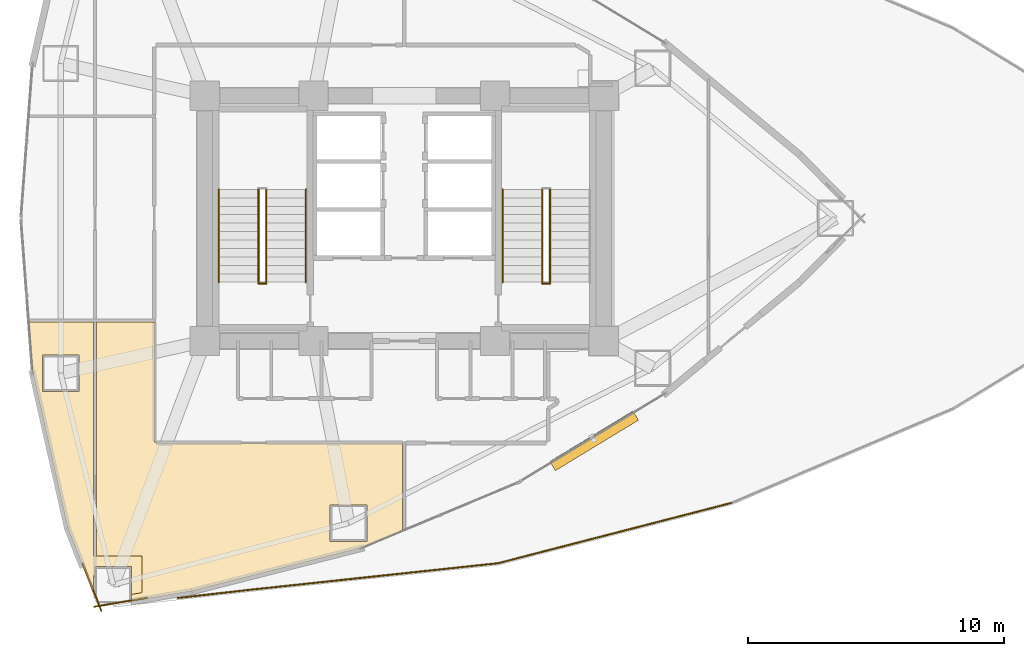
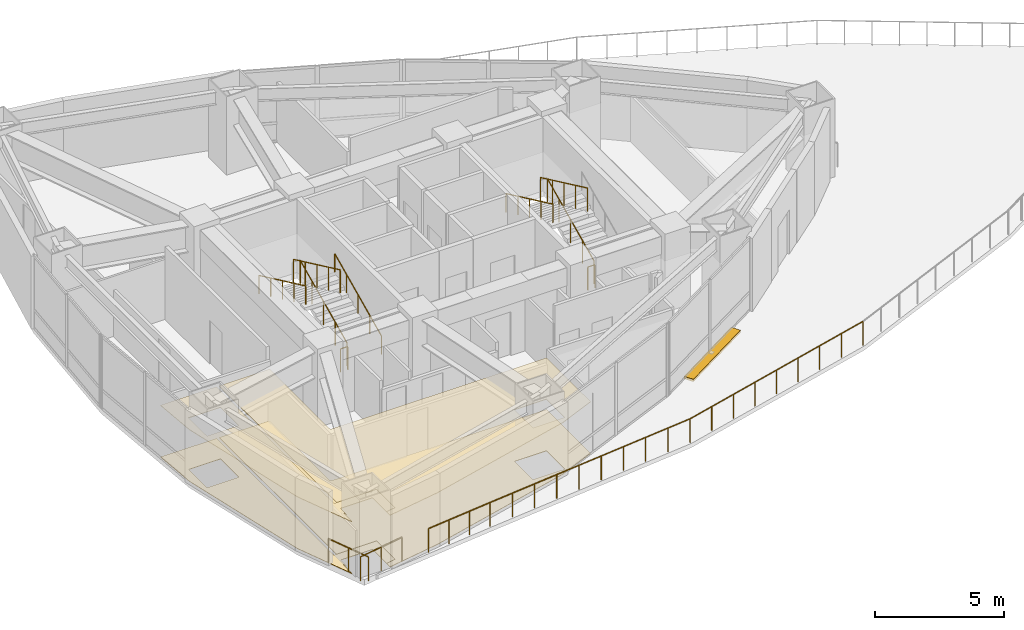
# One storey, part 17 of 19: 14 railings, 4 coverings, 1 shading device.
"""IFC4 building model written with IfcOpenShell, lengths in metres."""

from ifc_helpers import new_model, si_unit, direction, frame, origin, origin_2d, place, context, subcontext, project, spatial, polyline, rectangle, circle, outline, extrude, material, layer, layer_set, type_object, element, save


model = new_model("IFC4")

# Units and contexts
model_context = context("Model", 3, precision=1e-05, world=origin(), true_north=direction((0.0, 1.0)))
body_context = subcontext(model_context, "Body", "Model", "MODEL_VIEW")
ifc_project = project(units=[si_unit("LENGTHUNIT", "METRE"), si_unit("AREAUNIT", "SQUARE_METRE"), si_unit("VOLUMEUNIT", "CUBIC_METRE"), si_unit("PLANEANGLEUNIT", "RADIAN"), si_unit("MASSUNIT", "GRAM", prefix="KILO")], contexts=[model_context])

# Site, building, storey
site_placement = place(None, origin())
site = spatial("IfcSite", under=ifc_project, at=site_placement, CompositionType="ELEMENT")
building_placement = place(site_placement, origin())
building = spatial("IfcBuilding", under=site, at=building_placement, Name="Menara Vayukalpa", CompositionType="ELEMENT")
storey_placement = place(building_placement, frame((0.0, 0.0, 68.52001953125)))
storey = spatial("IfcBuildingStorey", under=building, at=storey_placement, Name="L16", CompositionType="ELEMENT", Elevation=68.52001953125)

# Coverings
ifc_material_1 = material(Name="Mineral Fibre Acoustic Ceiling Tile", Category="masonry")
ifc_layer_1 = layer(ifc_material_1, 0.02490234375)
ifc_layer_set_1 = layer_set([ifc_layer_1], Name="Mineral Fibre Acoustic Ceiling Tile")
covering_type_1 = type_object("IfcCoveringType", Name="COV-CLG1", PredefinedType="CEILING", material=ifc_layer_set_1)
covering_1_placement = place(storey_placement, frame((0.0, 0.0, 2.449951171875)))
element("IfcCovering", 1, at=covering_1_placement, inside=storey, type_object=covering_type_1, Name="L16 Technical Reference Library Acoustic Ceiling", PredefinedType="CEILING", context=body_context, shape_type="SweptSolid", body=[
    extrude(outline(polyline([(14.9326171875, 7.2900390625), (14.9326171875, 8.380615234375), (13.502685546875, 8.380615234375), (13.502685546875, 7.90966796875), (13.43994140625, 8.069091796875), (13.43994140625, 7.38330078125), (13.43994140625, 7.382080078125), (13.439697265625, 7.381103515625), (13.439697265625, 7.38037109375), (13.439208984375, 7.37939453125), (13.438720703125, 7.37841796875), (13.438232421875, 7.377685546875), (13.437744140625, 7.376708984375), (13.43701171875, 7.376220703125), (13.436279296875, 7.37548828125), (13.435546875, 7.374755859375), (13.4345703125, 7.374267578125), (13.433837890625, 7.373779296875), (13.432861328125, 7.37353515625), (13.431884765625, 7.373291015625), (13.430908203125, 7.373291015625), (13.429931640625, 7.373291015625), (13.428955078125, 7.373291015625), (13.427978515625, 7.373291015625), (13.427001953125, 7.373779296875), (13.426025390625, 7.3740234375), (13.42529296875, 7.37451171875), (13.42431640625, 7.375), (13.423583984375, 7.37548828125), (13.4228515625, 7.376220703125), (13.422119140625, 7.376953125), (13.421630859375, 7.377685546875), (13.421142578125, 7.378662109375), (13.420654296875, 7.37939453125), (12.4375, 9.883056640625), (12.437255859375, 9.8837890625), (12.43701171875, 9.884521484375), (11.07421875, 15.941162109375), (11.073974609375, 15.942626953125), (10.925048828125, 17.92919921875), (10.925048828125, 17.93017578125), (10.925048828125, 17.93115234375), (10.92529296875, 17.93212890625), (10.925537109375, 17.93310546875), (10.92578125, 17.93408203125), (10.92626953125, 17.934814453125), (10.9267578125, 17.935791015625), (10.92724609375, 17.936279296875), (10.927978515625, 17.93701171875), (10.9287109375, 17.937744140625), (10.929443359375, 17.9384765625), (10.930419921875, 17.93896484375), (10.93115234375, 17.939208984375), (10.93212890625, 17.939697265625), (10.93310546875, 17.939697265625), (10.93408203125, 17.93994140625), (10.93505859375, 17.93994140625), (13.429931640625, 17.93994140625), (13.430908203125, 17.93994140625), (13.431884765625, 17.939697265625), (13.432861328125, 17.939697265625), (13.433837890625, 17.939208984375), (13.434814453125, 17.938720703125), (13.435546875, 17.938232421875), (13.436279296875, 17.937744140625), (13.43701171875, 17.93701171875), (13.437744140625, 17.936279296875), (13.438232421875, 17.935546875), (13.438720703125, 17.934814453125), (13.439208984375, 17.933837890625), (13.439697265625, 17.932861328125), (13.439697265625, 17.931884765625), (13.43994140625, 17.930908203125), (13.43994140625, 17.929931640625), (13.43994140625, 8.800537109375), (15.3525390625, 8.800537109375), (15.3525390625, 7.361328125), (14.9326171875, 7.2900390625)]), holes=[polyline([(12.879150390625, 16.655517578125), (11.44921875, 16.655517578125), (11.44921875, 15.225341796875), (12.879150390625, 15.225341796875), (12.879150390625, 16.655517578125)])]), origin(), (0.0, 0.0, 1.0), 0.025146484375),
])
covering_2_placement = place(storey_placement, frame((0.0, 0.0, 2.449951171875)))
element("IfcCovering", 2, at=covering_2_placement, inside=storey, type_object=covering_type_1, Name="L16 Technical Reference Library Acoustic Ceiling", PredefinedType="CEILING", context=body_context, shape_type="SweptSolid", body=[
    extrude(outline(polyline([(13.56005859375, 8.800537109375), (13.56005859375, 17.929931640625), (13.56005859375, 17.930908203125), (13.560302734375, 17.931884765625), (13.560302734375, 17.932861328125), (13.560791015625, 17.933837890625), (13.561279296875, 17.934814453125), (13.561767578125, 17.935546875), (13.562255859375, 17.936279296875), (13.56298828125, 17.93701171875), (13.563720703125, 17.937744140625), (13.564453125, 17.938232421875), (13.565185546875, 17.938720703125), (13.566162109375, 17.939208984375), (13.567138671875, 17.939697265625), (13.568115234375, 17.939697265625), (13.569091796875, 17.93994140625), (13.570068359375, 17.93994140625), (15.820068359375, 17.93994140625), (15.821044921875, 17.93994140625), (15.822021484375, 17.939697265625), (15.822998046875, 17.939697265625), (15.82373046875, 17.939208984375), (15.82470703125, 17.938720703125), (15.82568359375, 17.938232421875), (15.826416015625, 17.937744140625), (15.8271484375, 17.93701171875), (15.82763671875, 17.936279296875), (15.828369140625, 17.935546875), (15.828857421875, 17.934814453125), (15.8291015625, 17.933837890625), (15.82958984375, 17.932861328125), (15.829833984375, 17.931884765625), (15.830078125, 17.930908203125), (15.830078125, 17.929931640625), (15.830078125, 13.290283203125), (15.830322265625, 13.283203125), (15.831298828125, 13.2763671875), (15.8330078125, 13.269775390625), (15.835205078125, 13.26318359375), (15.838134765625, 13.257080078125), (15.841796875, 13.251220703125), (15.845947265625, 13.24560546875), (15.8505859375, 13.240478515625), (15.85546875, 13.236083984375), (15.861083984375, 13.231689453125), (15.866943359375, 13.228271484375), (15.873291015625, 13.225341796875), (15.879638671875, 13.222900390625), (15.88623046875, 13.22119140625), (15.893310546875, 13.220458984375), (15.900390625, 13.219970703125), (25.530029296875, 13.219970703125), (25.531005859375, 13.219970703125), (25.531982421875, 13.2197265625), (25.532958984375, 13.219482421875), (25.53369140625, 13.21923828125), (25.53466796875, 13.21875), (25.53564453125, 13.21826171875), (25.536376953125, 13.2177734375), (25.537109375, 13.217041015625), (25.53759765625, 13.21630859375), (25.538330078125, 13.215576171875), (25.538818359375, 13.214599609375), (25.539306640625, 13.2138671875), (25.53955078125, 13.212890625), (25.539794921875, 13.2119140625), (25.5400390625, 13.2109375), (25.5400390625, 13.2099609375), (25.5400390625, 9.792724609375), (25.5400390625, 9.791748046875), (25.539794921875, 9.790771484375), (25.53955078125, 9.789794921875), (25.539306640625, 9.788818359375), (25.538818359375, 9.7880859375), (25.538330078125, 9.787109375), (25.53759765625, 9.786376953125), (25.537109375, 9.78564453125), (25.536376953125, 9.784912109375), (25.53564453125, 9.784423828125), (25.53466796875, 9.783935546875), (25.533935546875, 9.783447265625), (23.916015625, 9.106689453125), (23.914794921875, 9.106201171875), (17.285888671875, 7.415771484375), (17.28515625, 7.41552734375), (14.9326171875, 7.01611328125), (14.9326171875, 8.380615234375), (13.502685546875, 8.380615234375), (13.502685546875, 7.90966796875), (13.152587890625, 8.800537109375), (13.56005859375, 8.800537109375)]), holes=[polyline([(24.134521484375, 10.792236328125), (22.704345703125, 10.792236328125), (22.704345703125, 9.3623046875), (24.134521484375, 9.3623046875), (24.134521484375, 10.792236328125)])]), origin(), (0.0, 0.0, 1.0), 0.025146484375),
])
ifc_material_2 = material(Name="Porcelain Stoneware Floor Tile", Category="masonry")
ifc_layer_2 = layer(ifc_material_2, 0.02001953125)
ifc_layer_set_2 = layer_set([ifc_layer_2], Name="Porcelain Stoneware Floor Tile")
covering_type_2 = type_object("IfcCoveringType", Name="COV-FLR1", PredefinedType="FLOORING", material=ifc_layer_set_2)
covering_3_placement = place(storey_placement, origin())
element("IfcCovering", 3, at=covering_3_placement, inside=storey, type_object=covering_type_2, Name="L16 Technical Reference Library Porcelain Flooring", PredefinedType="FLOORING", context=body_context, shape_type="SweptSolid", body=[
    extrude(outline(polyline([(14.9326171875, 7.2900390625), (14.9326171875, 8.380615234375), (13.502685546875, 8.380615234375), (13.502685546875, 7.90966796875), (13.43994140625, 8.069091796875), (13.43994140625, 7.38330078125), (13.43994140625, 7.382080078125), (13.439697265625, 7.381103515625), (13.439697265625, 7.38037109375), (13.439208984375, 7.37939453125), (13.438720703125, 7.37841796875), (13.438232421875, 7.377685546875), (13.437744140625, 7.376708984375), (13.43701171875, 7.376220703125), (13.436279296875, 7.37548828125), (13.435546875, 7.374755859375), (13.4345703125, 7.374267578125), (13.433837890625, 7.373779296875), (13.432861328125, 7.37353515625), (13.431884765625, 7.373291015625), (13.430908203125, 7.373291015625), (13.429931640625, 7.373291015625), (13.428955078125, 7.373291015625), (13.427978515625, 7.373291015625), (13.427001953125, 7.373779296875), (13.426025390625, 7.3740234375), (13.42529296875, 7.37451171875), (13.42431640625, 7.375), (13.423583984375, 7.37548828125), (13.4228515625, 7.376220703125), (13.422119140625, 7.376953125), (13.421630859375, 7.377685546875), (13.421142578125, 7.378662109375), (13.420654296875, 7.37939453125), (12.4375, 9.883056640625), (12.437255859375, 9.8837890625), (12.43701171875, 9.884521484375), (11.07421875, 15.941162109375), (11.073974609375, 15.942626953125), (10.925048828125, 17.92919921875), (10.925048828125, 17.93017578125), (10.925048828125, 17.93115234375), (10.92529296875, 17.93212890625), (10.925537109375, 17.93310546875), (10.92578125, 17.93408203125), (10.92626953125, 17.934814453125), (10.9267578125, 17.935791015625), (10.92724609375, 17.936279296875), (10.927978515625, 17.93701171875), (10.9287109375, 17.937744140625), (10.929443359375, 17.9384765625), (10.930419921875, 17.93896484375), (10.93115234375, 17.939208984375), (10.93212890625, 17.939697265625), (10.93310546875, 17.939697265625), (10.93408203125, 17.93994140625), (10.93505859375, 17.93994140625), (13.429931640625, 17.93994140625), (13.430908203125, 17.93994140625), (13.431884765625, 17.939697265625), (13.432861328125, 17.939697265625), (13.433837890625, 17.939208984375), (13.434814453125, 17.938720703125), (13.435546875, 17.938232421875), (13.436279296875, 17.937744140625), (13.43701171875, 17.93701171875), (13.437744140625, 17.936279296875), (13.438232421875, 17.935546875), (13.438720703125, 17.934814453125), (13.439208984375, 17.933837890625), (13.439697265625, 17.932861328125), (13.439697265625, 17.931884765625), (13.43994140625, 17.930908203125), (13.43994140625, 17.929931640625), (13.43994140625, 8.800537109375), (15.3525390625, 8.800537109375), (15.3525390625, 7.361328125), (14.9326171875, 7.2900390625)]), holes=[polyline([(12.879150390625, 16.655517578125), (11.44921875, 16.655517578125), (11.44921875, 15.225341796875), (12.879150390625, 15.225341796875), (12.879150390625, 16.655517578125)])]), origin(), (0.0, 0.0, 1.0), 0.02001953125),
])
covering_4_placement = place(storey_placement, origin())
element("IfcCovering", 4, at=covering_4_placement, inside=storey, type_object=covering_type_2, Name="L16 Technical Reference Library Porcelain Flooring", PredefinedType="FLOORING", context=body_context, shape_type="SweptSolid", body=[
    extrude(outline(polyline([(13.56005859375, 8.800537109375), (13.56005859375, 17.929931640625), (13.56005859375, 17.930908203125), (13.560302734375, 17.931884765625), (13.560302734375, 17.932861328125), (13.560791015625, 17.933837890625), (13.561279296875, 17.934814453125), (13.561767578125, 17.935546875), (13.562255859375, 17.936279296875), (13.56298828125, 17.93701171875), (13.563720703125, 17.937744140625), (13.564453125, 17.938232421875), (13.565185546875, 17.938720703125), (13.566162109375, 17.939208984375), (13.567138671875, 17.939697265625), (13.568115234375, 17.939697265625), (13.569091796875, 17.93994140625), (13.570068359375, 17.93994140625), (15.820068359375, 17.93994140625), (15.821044921875, 17.93994140625), (15.822021484375, 17.939697265625), (15.822998046875, 17.939697265625), (15.82373046875, 17.939208984375), (15.82470703125, 17.938720703125), (15.82568359375, 17.938232421875), (15.826416015625, 17.937744140625), (15.8271484375, 17.93701171875), (15.82763671875, 17.936279296875), (15.828369140625, 17.935546875), (15.828857421875, 17.934814453125), (15.8291015625, 17.933837890625), (15.82958984375, 17.932861328125), (15.829833984375, 17.931884765625), (15.830078125, 17.930908203125), (15.830078125, 17.929931640625), (15.830078125, 13.290283203125), (15.830322265625, 13.283203125), (15.831298828125, 13.2763671875), (15.8330078125, 13.269775390625), (15.835205078125, 13.26318359375), (15.838134765625, 13.257080078125), (15.841796875, 13.251220703125), (15.845947265625, 13.24560546875), (15.8505859375, 13.240478515625), (15.85546875, 13.236083984375), (15.861083984375, 13.231689453125), (15.866943359375, 13.228271484375), (15.873291015625, 13.225341796875), (15.879638671875, 13.222900390625), (15.88623046875, 13.22119140625), (15.893310546875, 13.220458984375), (15.900390625, 13.219970703125), (25.530029296875, 13.219970703125), (25.531005859375, 13.219970703125), (25.531982421875, 13.2197265625), (25.532958984375, 13.219482421875), (25.53369140625, 13.21923828125), (25.53466796875, 13.21875), (25.53564453125, 13.21826171875), (25.536376953125, 13.2177734375), (25.537109375, 13.217041015625), (25.53759765625, 13.21630859375), (25.538330078125, 13.215576171875), (25.538818359375, 13.214599609375), (25.539306640625, 13.2138671875), (25.53955078125, 13.212890625), (25.539794921875, 13.2119140625), (25.5400390625, 13.2109375), (25.5400390625, 13.2099609375), (25.5400390625, 9.792724609375), (25.5400390625, 9.791748046875), (25.539794921875, 9.790771484375), (25.53955078125, 9.789794921875), (25.539306640625, 9.788818359375), (25.538818359375, 9.7880859375), (25.538330078125, 9.787109375), (25.53759765625, 9.786376953125), (25.537109375, 9.78564453125), (25.536376953125, 9.784912109375), (25.53564453125, 9.784423828125), (25.53466796875, 9.783935546875), (25.533935546875, 9.783447265625), (23.916015625, 9.106689453125), (23.914794921875, 9.106201171875), (17.285888671875, 7.415771484375), (17.28515625, 7.41552734375), (14.9326171875, 7.01611328125), (14.9326171875, 8.380615234375), (13.502685546875, 8.380615234375), (13.502685546875, 7.90966796875), (13.152587890625, 8.800537109375), (13.56005859375, 8.800537109375)]), holes=[polyline([(24.134521484375, 10.792236328125), (22.704345703125, 10.792236328125), (22.704345703125, 9.3623046875), (24.134521484375, 9.3623046875), (24.134521484375, 10.792236328125)])]), origin(), (0.0, 0.0, 1.0), 0.02001953125),
])

# Railings
ifc_material_3 = material(Name="Laminated Glass and Stainless Steel 316 Guardrail", Category="steel")
railing_type_1 = type_object("IfcRailingType", Name="RLG-EXT115", PredefinedType="GUARDRAIL", material=ifc_material_3)
railing_1_placement = place(storey_placement, frame((38.394287109375, 10.869873046875, 0.0)))
element("IfcRailing", 5, at=railing_1_placement, inside=storey, type_object=railing_type_1, Name="L16 Sky Terrace Perimeter Guardrail 10", PredefinedType="GUARDRAIL", context=body_context, shape_type="SweptSolid", body=[
    extrude(circle(Radius=0.02392578125, at=origin_2d()), frame((0.0, 0.0, 1.1259765625), z_axis=(-0.968144095454, -0.250393710859, 0.0), x_axis=(0.250393710859, -0.968144095454, 0.0)), (0.0, 0.0, 1.0), 9.420654296875),
    extrude(circle(Radius=0.02099609375, at=origin_2d()), origin(), (0.0, 0.0, 1.0), 1.101806640625),
    extrude(circle(Radius=0.02099609375, at=origin_2d()), frame((-1.14013671875, -0.294921875, 0.0)), (0.0, 0.0, 1.0), 1.101806640625),
    extrude(circle(Radius=0.02099609375, at=origin_2d()), frame((-2.2802734375, -0.58984375, 0.0)), (0.0, 0.0, 1.0), 1.101806640625),
    extrude(circle(Radius=0.02099609375, at=origin_2d()), frame((-3.420166015625, -0.884521484375, 0.0)), (0.0, 0.0, 1.0), 1.101806640625),
    extrude(circle(Radius=0.02099609375, at=origin_2d()), frame((-4.560302734375, -1.179443359375, 0.0)), (0.0, 0.0, 1.0), 1.101806640625),
    extrude(circle(Radius=0.02099609375, at=origin_2d()), frame((-5.700439453125, -1.474365234375, 0.0)), (0.0, 0.0, 1.0), 1.101806640625),
    extrude(circle(Radius=0.02099609375, at=origin_2d()), frame((-6.84033203125, -1.76904296875, 0.0)), (0.0, 0.0, 1.0), 1.101806640625),
    extrude(circle(Radius=0.02099609375, at=origin_2d()), frame((-7.98046875, -2.06396484375, 0.0)), (0.0, 0.0, 1.0), 1.101806640625),
    extrude(circle(Radius=0.02099609375, at=origin_2d()), frame((-9.12060546875, -2.35888671875, 0.0)), (0.0, 0.0, 1.0), 1.101806640625),
])
railing_2_placement = place(storey_placement, frame((29.273681640625, 8.510986328125, 0.0)))
element("IfcRailing", 6, at=railing_2_placement, inside=storey, type_object=railing_type_1, Name="L16 Sky Terrace Perimeter Guardrail 11", PredefinedType="GUARDRAIL", context=body_context, shape_type="SweptSolid", body=[
    extrude(circle(Radius=0.02392578125, at=origin_2d()), frame((0.0, 0.0, 1.1259765625), z_axis=(-0.994318256903, -0.106448128163, 0.0), x_axis=(0.106448128163, -0.994318256903, 0.0)), (0.0, 0.0, 1.0), 9.635009765625),
    extrude(circle(Radius=0.02099609375, at=origin_2d()), origin(), (0.0, 0.0, 1.0), 1.101806640625),
    extrude(circle(Radius=0.02099609375, at=origin_2d()), frame((-1.064453125, -0.114013671875, 0.0)), (0.0, 0.0, 1.0), 1.101806640625),
    extrude(circle(Radius=0.02099609375, at=origin_2d()), frame((-2.12890625, -0.22802734375, 0.0)), (0.0, 0.0, 1.0), 1.101806640625),
    extrude(circle(Radius=0.02099609375, at=origin_2d()), frame((-3.193359375, -0.341796875, 0.0)), (0.0, 0.0, 1.0), 1.101806640625),
    extrude(circle(Radius=0.02099609375, at=origin_2d()), frame((-4.2578125, -0.455810546875, 0.0)), (0.0, 0.0, 1.0), 1.101806640625),
    extrude(circle(Radius=0.02099609375, at=origin_2d()), frame((-5.322509765625, -0.56982421875, 0.0)), (0.0, 0.0, 1.0), 1.101806640625),
    extrude(circle(Radius=0.02099609375, at=origin_2d()), frame((-6.386962890625, -0.683837890625, 0.0)), (0.0, 0.0, 1.0), 1.101806640625),
    extrude(circle(Radius=0.02099609375, at=origin_2d()), frame((-7.451416015625, -0.797607421875, 0.0)), (0.0, 0.0, 1.0), 1.101806640625),
    extrude(circle(Radius=0.02099609375, at=origin_2d()), frame((-8.515869140625, -0.91162109375, 0.0)), (0.0, 0.0, 1.0), 1.101806640625),
    extrude(circle(Radius=0.02099609375, at=origin_2d()), frame((-9.580322265625, -1.025634765625, 0.0)), (0.0, 0.0, 1.0), 1.101806640625),
])
railing_3_placement = place(storey_placement, frame((19.69287109375, 7.4853515625, 0.0)))
element("IfcRailing", 7, at=railing_3_placement, inside=storey, type_object=railing_type_1, Name="L16 Sky Terrace Perimeter Guardrail 12", PredefinedType="GUARDRAIL", context=body_context, shape_type="SweptSolid", body=[
    extrude(circle(Radius=0.02392578125, at=origin_2d()), frame((0.0, 0.0, 1.1259765625), z_axis=(-0.993628882946, -0.112701565988, 0.0), x_axis=(0.112701565988, -0.993628882946, 0.0)), (0.0, 0.0, 1.0), 2.974365234375),
    extrude(circle(Radius=0.02099609375, at=origin_2d()), origin(), (0.0, 0.0, 1.0), 1.101806640625),
    extrude(circle(Radius=0.02099609375, at=origin_2d()), frame((-0.985107421875, -0.11181640625, 0.0)), (0.0, 0.0, 1.0), 1.101806640625),
    extrude(circle(Radius=0.02099609375, at=origin_2d()), frame((-1.97021484375, -0.223388671875, 0.0)), (0.0, 0.0, 1.0), 1.101806640625),
    extrude(circle(Radius=0.02099609375, at=origin_2d()), frame((-2.955322265625, -0.335205078125, 0.0)), (0.0, 0.0, 1.0), 1.101806640625),
])
railing_4_placement = place(storey_placement, frame((13.02099609375, 8.50634765625, 0.0)))
element("IfcRailing", 8, at=railing_4_placement, inside=storey, type_object=railing_type_1, Name="L16 Column Corner Spandrel Guardrail 13-1", PredefinedType="GUARDRAIL", context=body_context, shape_type="SweptSolid", body=[
    extrude(circle(Radius=0.02392578125, at=origin_2d()), frame((0.0, 0.0, 1.1259765625), z_axis=(0.365580158762, -0.930779859859, 0.0), x_axis=(0.930779859859, 0.365580158762, 0.0)), (0.0, 0.0, 1.0), 1.9873046875),
    extrude(circle(Radius=0.02099609375, at=origin_2d()), origin(), (0.0, 0.0, 1.0), 1.101806640625),
    extrude(circle(Radius=0.02099609375, at=origin_2d()), frame((0.36328125, -0.9248046875, 0.0)), (0.0, 0.0, 1.0), 1.101806640625),
    extrude(circle(Radius=0.02099609375, at=origin_2d()), frame((0.7265625, -1.849853515625, 0.0)), (0.0, 0.0, 1.0), 1.101806640625),
])
railing_5_placement = place(storey_placement, frame((13.4765625, 6.8095703125, 0.0)))
element("IfcRailing", 9, at=railing_5_placement, inside=storey, type_object=railing_type_1, Name="L16 Column Corner Spandrel Guardrail 14-1", PredefinedType="GUARDRAIL", context=body_context, shape_type="SweptSolid", body=[
    extrude(circle(Radius=0.02392578125, at=origin_2d()), frame((0.0, 0.0, 1.1259765625), z_axis=(0.985904350491, 0.167309927029, 0.0), x_axis=(-0.167309927029, 0.985904350491, 0.0)), (0.0, 0.0, 1.0), 2.093994140625),
    extrude(circle(Radius=0.02099609375, at=origin_2d()), origin(), (0.0, 0.0, 1.0), 1.101806640625),
    extrude(circle(Radius=0.02099609375, at=origin_2d()), frame((1.0322265625, 0.17529296875, 0.0)), (0.0, 0.0, 1.0), 1.101806640625),
    extrude(circle(Radius=0.02099609375, at=origin_2d()), frame((2.064453125, 0.350341796875, 0.0)), (0.0, 0.0, 1.0), 1.101806640625),
])
ifc_material_4 = material(Name="Powder-Coated Galvanised Steel Guardrail", Category="steel")
railing_type_2 = type_object("IfcRailingType", Name="RLG-STG110", PredefinedType="GUARDRAIL", material=ifc_material_4)
railing_6_placement = place(storey_placement, frame((20.199951171875, 19.5, 0.155029296875)))
element("IfcRailing", 10, at=railing_6_placement, inside=storey, type_object=railing_type_2, Name="L16 ST-1 stair guard 1", PredefinedType="GUARDRAIL", context=body_context, shape_type="SweptSolid", body=[
    extrude(circle(Radius=0.02392578125, at=origin_2d()), frame((0.0, 0.0, 1.09619140625), z_axis=(0.0, 0.90513990983, 0.425113800803), x_axis=(-1.0, 0.0, 0.0)), (0.0, 0.0, 1.0), 4.01025390625),
    extrude(circle(Radius=0.02099609375, at=origin_2d()), origin(), (0.0, 0.0, 1.0), 1.072021484375),
    extrude(circle(Radius=0.02099609375, at=origin_2d()), frame((0.0, 0.907470703125, 0.42626953125)), (0.0, 0.0, 1.0), 1.072021484375),
    extrude(circle(Radius=0.02099609375, at=origin_2d()), frame((0.0, 1.81494140625, 0.8525390625)), (0.0, 0.0, 1.0), 1.072021484375),
    extrude(circle(Radius=0.02099609375, at=origin_2d()), frame((0.0, 2.722412109375, 1.278564453125)), (0.0, 0.0, 1.0), 1.072021484375),
    extrude(circle(Radius=0.02099609375, at=origin_2d()), frame((0.0, 3.6298828125, 1.704833984375)), (0.0, 0.0, 1.0), 1.072021484375),
])
railing_7_placement = place(storey_placement, frame((19.89990234375, 23.1298828125, 2.014892578125)))
element("IfcRailing", 11, at=railing_7_placement, inside=storey, type_object=railing_type_2, Name="L16 ST-1 stair guard 3", PredefinedType="GUARDRAIL", context=body_context, shape_type="SweptSolid", body=[
    extrude(circle(Radius=0.02392578125, at=origin_2d()), frame((0.0, 0.0, 1.09619140625), z_axis=(0.0, -0.90511648382, 0.425163675209), x_axis=(1.0, 0.0, 0.0)), (0.0, 0.0, 1.0), 4.010498046875),
    extrude(circle(Radius=0.02099609375, at=origin_2d()), origin(), (0.0, 0.0, 1.0), 1.072021484375),
    extrude(circle(Radius=0.02099609375, at=origin_2d()), frame((0.0, -0.907470703125, 0.42626953125)), (0.0, 0.0, 1.0), 1.072021484375),
    extrude(circle(Radius=0.02099609375, at=origin_2d()), frame((0.0, -1.81494140625, 0.8525390625)), (0.0, 0.0, 1.0), 1.072021484375),
    extrude(circle(Radius=0.02099609375, at=origin_2d()), frame((0.0, -2.722412109375, 1.27880859375)), (0.0, 0.0, 1.0), 1.072021484375),
    extrude(circle(Radius=0.02099609375, at=origin_2d()), frame((0.0, -3.6298828125, 1.705078125)), (0.0, 0.0, 1.0), 1.072021484375),
])
railing_8_placement = place(storey_placement, frame((20.2099609375, 19.449951171875, 0.0)))
element("IfcRailing", 12, at=railing_8_placement, inside=storey, type_object=railing_type_2, Name="L16 ST-1 stair guard 4", PredefinedType="GUARDRAIL", context=body_context, shape_type="SweptSolid", body=[
    extrude(circle(Radius=0.02392578125, at=origin_2d()), frame((0.0, 0.0, 1.09619140625), z_axis=(-1.0, 0.0, 0.0), x_axis=(0.0, -1.0, 0.0)), (0.0, 0.0, 1.0), 0.320068359375),
    extrude(circle(Radius=0.02099609375, at=origin_2d()), origin(), (0.0, 0.0, 1.0), 1.072021484375),
    extrude(circle(Radius=0.02099609375, at=origin_2d()), frame((-0.320068359375, 0.0, 0.0)), (0.0, 0.0, 1.0), 1.072021484375),
])
railing_9_placement = place(storey_placement, frame((31.300048828125, 19.5, 0.155029296875)))
element("IfcRailing", 13, at=railing_9_placement, inside=storey, type_object=railing_type_2, Name="L16 ST-2 stair guard 1", PredefinedType="GUARDRAIL", context=body_context, shape_type="SweptSolid", body=[
    extrude(circle(Radius=0.02392578125, at=origin_2d()), frame((0.0, 0.0, 1.09619140625), z_axis=(0.0, 0.90513990983, 0.425113800803), x_axis=(-1.0, 0.0, 0.0)), (0.0, 0.0, 1.0), 4.01025390625),
    extrude(circle(Radius=0.02099609375, at=origin_2d()), origin(), (0.0, 0.0, 1.0), 1.072021484375),
    extrude(circle(Radius=0.02099609375, at=origin_2d()), frame((0.0, 0.907470703125, 0.42626953125)), (0.0, 0.0, 1.0), 1.072021484375),
    extrude(circle(Radius=0.02099609375, at=origin_2d()), frame((0.0, 1.81494140625, 0.8525390625)), (0.0, 0.0, 1.0), 1.072021484375),
    extrude(circle(Radius=0.02099609375, at=origin_2d()), frame((0.0, 2.722412109375, 1.278564453125)), (0.0, 0.0, 1.0), 1.072021484375),
    extrude(circle(Radius=0.02099609375, at=origin_2d()), frame((0.0, 3.6298828125, 1.704833984375)), (0.0, 0.0, 1.0), 1.072021484375),
])
railing_10_placement = place(storey_placement, frame((31.0, 23.1298828125, 2.014892578125)))
element("IfcRailing", 14, at=railing_10_placement, inside=storey, type_object=railing_type_2, Name="L16 ST-2 stair guard 3", PredefinedType="GUARDRAIL", context=body_context, shape_type="SweptSolid", body=[
    extrude(circle(Radius=0.02392578125, at=origin_2d()), frame((0.0, 0.0, 1.09619140625), z_axis=(0.0, -0.90511648382, 0.425163675209), x_axis=(1.0, 0.0, 0.0)), (0.0, 0.0, 1.0), 4.010498046875),
    extrude(circle(Radius=0.02099609375, at=origin_2d()), origin(), (0.0, 0.0, 1.0), 1.072021484375),
    extrude(circle(Radius=0.02099609375, at=origin_2d()), frame((0.0, -0.907470703125, 0.42626953125)), (0.0, 0.0, 1.0), 1.072021484375),
    extrude(circle(Radius=0.02099609375, at=origin_2d()), frame((0.0, -1.81494140625, 0.8525390625)), (0.0, 0.0, 1.0), 1.072021484375),
    extrude(circle(Radius=0.02099609375, at=origin_2d()), frame((0.0, -2.722412109375, 1.27880859375)), (0.0, 0.0, 1.0), 1.072021484375),
    extrude(circle(Radius=0.02099609375, at=origin_2d()), frame((0.0, -3.6298828125, 1.705078125)), (0.0, 0.0, 1.0), 1.072021484375),
])
railing_11_placement = place(storey_placement, frame((31.31005859375, 19.449951171875, 0.0)))
element("IfcRailing", 15, at=railing_11_placement, inside=storey, type_object=railing_type_2, Name="L16 ST-2 stair guard 4", PredefinedType="GUARDRAIL", context=body_context, shape_type="SweptSolid", body=[
    extrude(circle(Radius=0.02392578125, at=origin_2d()), frame((0.0, 0.0, 1.09619140625), z_axis=(-1.0, 0.0, 0.0), x_axis=(0.0, -1.0, 0.0)), (0.0, 0.0, 1.0), 0.320068359375),
    extrude(circle(Radius=0.02099609375, at=origin_2d()), origin(), (0.0, 0.0, 1.0), 1.072021484375),
    extrude(circle(Radius=0.02099609375, at=origin_2d()), frame((-0.320068359375, 0.0, 0.0)), (0.0, 0.0, 1.0), 1.072021484375),
])
ifc_material_5 = material(Name="Stainless Steel 316 Tubular Handrail", Category="steel")
railing_type_3 = type_object("IfcRailingType", Name="RLG-STH090", PredefinedType="HANDRAIL", material=ifc_material_5)
railing_12_placement = place(storey_placement, frame((21.75, 19.5, 0.155029296875)))
element("IfcRailing", 16, at=railing_12_placement, inside=storey, type_object=railing_type_3, Name="L16 ST-1 stair handrail 1", PredefinedType="HANDRAIL", context=body_context, shape_type="SweptSolid", body=[
    extrude(circle(Radius=0.02392578125, at=origin_2d()), frame((0.0, 0.0, 0.8759765625), z_axis=(0.0, 0.90513990983, 0.425113800803), x_axis=(-1.0, 0.0, 0.0)), (0.0, 0.0, 1.0), 4.01025390625),
    extrude(circle(Radius=0.02099609375, at=origin_2d()), origin(), (0.0, 0.0, 1.0), 0.851806640625),
    extrude(circle(Radius=0.02099609375, at=origin_2d()), frame((0.0, 0.907470703125, 0.42626953125)), (0.0, 0.0, 1.0), 0.851806640625),
    extrude(circle(Radius=0.02099609375, at=origin_2d()), frame((0.0, 1.81494140625, 0.8525390625)), (0.0, 0.0, 1.0), 0.851806640625),
    extrude(circle(Radius=0.02099609375, at=origin_2d()), frame((0.0, 2.722412109375, 1.278564453125)), (0.0, 0.0, 1.0), 0.851806640625),
    extrude(circle(Radius=0.02099609375, at=origin_2d()), frame((0.0, 3.6298828125, 1.704833984375)), (0.0, 0.0, 1.0), 0.851806640625),
])
for number, where, name in (
    (17, (18.35009765625, 23.1298828125, 2.014892578125), "L16 ST-1 stair handrail 2"),
    (18, (29.449951171875, 23.1298828125, 2.014892578125), "L16 ST-2 stair handrail 2"),
):
    element("IfcRailing", number, at=place(storey_placement, frame(where)), inside=storey, type_object=railing_type_3, Name=name, PredefinedType="HANDRAIL", context=body_context, shape_type="SweptSolid", body=[
        extrude(circle(Radius=0.02392578125, at=origin_2d()), frame((0.0, 0.0, 0.8759765625), z_axis=(0.0, -0.90511648382, 0.425163675209), x_axis=(1.0, 0.0, 0.0)), (0.0, 0.0, 1.0), 4.010498046875),
        extrude(circle(Radius=0.02099609375, at=origin_2d()), origin(), (0.0, 0.0, 1.0), 0.851806640625),
        extrude(circle(Radius=0.02099609375, at=origin_2d()), frame((0.0, -0.907470703125, 0.42626953125)), (0.0, 0.0, 1.0), 0.851806640625),
        extrude(circle(Radius=0.02099609375, at=origin_2d()), frame((0.0, -1.81494140625, 0.8525390625)), (0.0, 0.0, 1.0), 0.851806640625),
        extrude(circle(Radius=0.02099609375, at=origin_2d()), frame((0.0, -2.722412109375, 1.27880859375)), (0.0, 0.0, 1.0), 0.851806640625),
        extrude(circle(Radius=0.02099609375, at=origin_2d()), frame((0.0, -3.6298828125, 1.705078125)), (0.0, 0.0, 1.0), 0.851806640625),
    ])

# Shading device
ifc_material_6 = material(Name="Glazed Terracotta Ceramic Baguette Extrusion", Category="masonry")
ifc_layer_3 = layer(ifc_material_6, 0.1201171875)
ifc_layer_set_3 = layer_set([ifc_layer_3], Name="Glazed Terracotta Ceramic Baguette Extrusion")
shading_device_type = type_object("IfcShadingDeviceType", Name="SHD-SS1", PredefinedType="USERDEFINED", material=ifc_layer_set_3)
shading_device_placement = place(storey_placement, frame((33.02880859375, 13.298828125, -0.10009765625), z_axis=(0.0, 0.0, 1.0), x_axis=(0.85466730962, 0.519176068272, 0.0)))
element("IfcShadingDevice", 19, at=shading_device_placement, inside=storey, type_object=shading_device_type, Name="L16 Horizontal Terracotta Sunshade Band 17", ObjectType="SUNSHADE", PredefinedType="USERDEFINED", context=body_context, shape_type="SweptSolid", body=[
    extrude(rectangle(XDim=3.800048828125, YDim=0.419921875, at=origin_2d()), origin(), (0.0, 0.0, 1.0), 0.1201171875),
])

save(model, "model.ifc")
